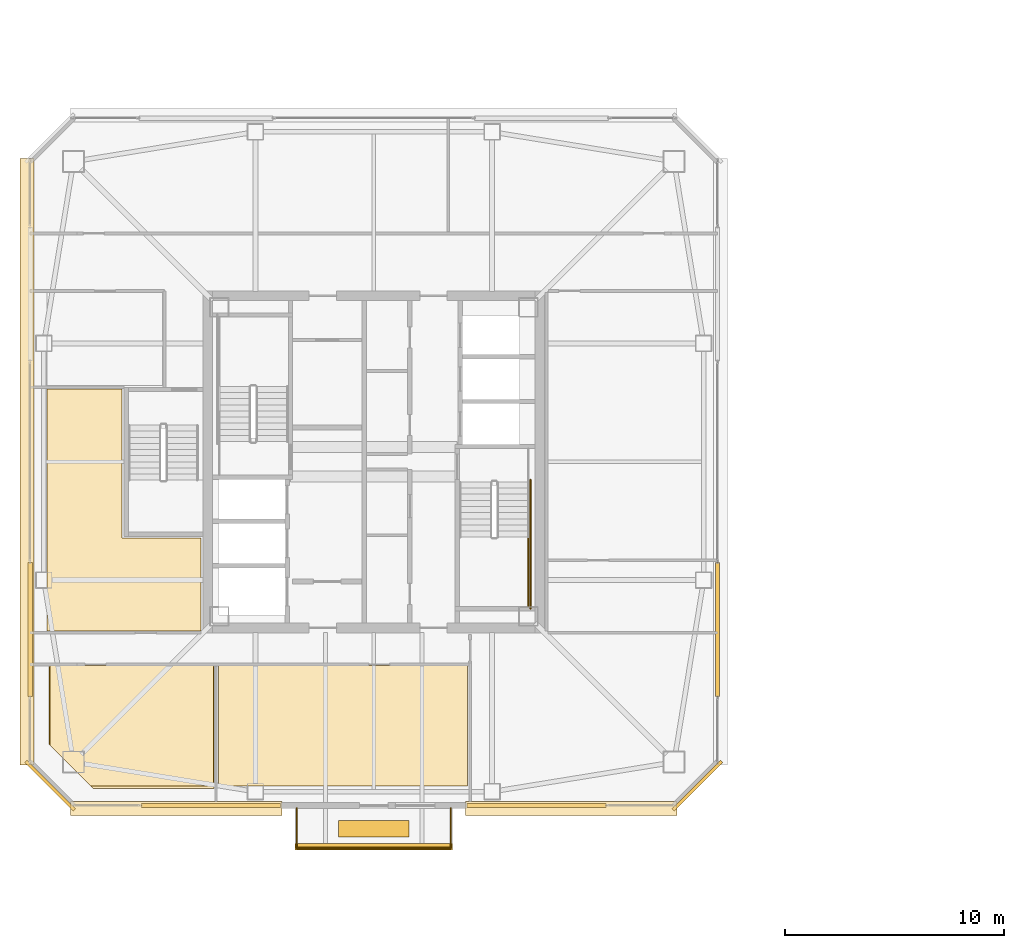
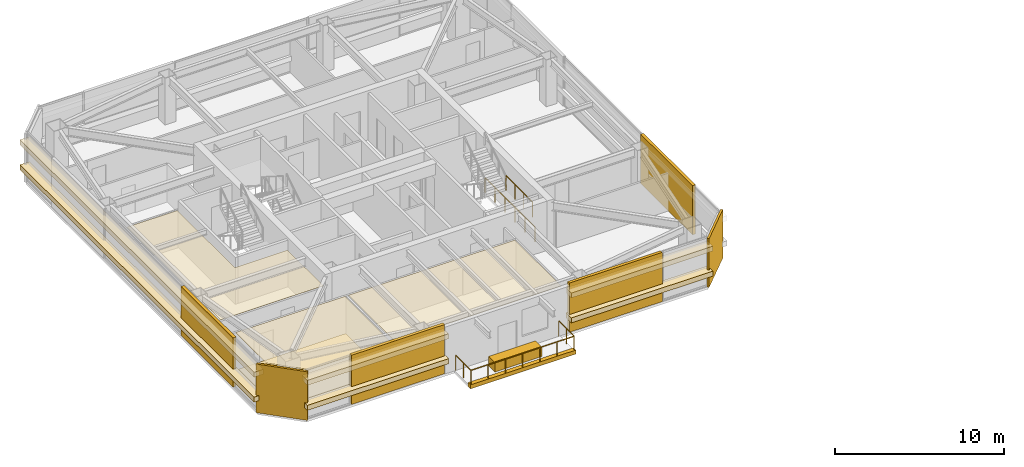
# One storey, part 31 of 36: 18 coverings, 5 railings.
"""IFC4 building model written with IfcOpenShell, lengths in metres."""

from ifc_helpers import new_model, si_unit, direction, frame, origin, origin_2d, place, context, subcontext, project, spatial, polyline, rectangle, outline, extrude, material, layer, layer_set, type_object, element, save


model = new_model("IFC4")

# Units and contexts
model_context = context("Model", 3, precision=1e-05, world=origin(), true_north=direction((0.0, 1.0)))
body_context = subcontext(model_context, "Body", "Model", "MODEL_VIEW")
ifc_project = project(units=[si_unit("LENGTHUNIT", "METRE"), si_unit("AREAUNIT", "SQUARE_METRE"), si_unit("VOLUMEUNIT", "CUBIC_METRE"), si_unit("PLANEANGLEUNIT", "RADIAN"), si_unit("MASSUNIT", "GRAM", prefix="KILO")], contexts=[model_context])

# Site, building, storey
site_placement = place(None, origin())
site = spatial("IfcSite", under=ifc_project, at=site_placement, CompositionType="ELEMENT")
building_placement = place(site_placement, origin())
building = spatial("IfcBuilding", under=site, at=building_placement, Name="Tashvorn Skyway Center", CompositionType="ELEMENT")
storey_placement = place(building_placement, frame((0.0, 0.0, 236.14990234375)))
storey = spatial("IfcBuildingStorey", under=building, at=storey_placement, Name="L64", CompositionType="ELEMENT", Elevation=236.14990234375)

# Coverings
ifc_material_1 = material(Name="Precast concrete C40/50", Category="concrete")
ifc_layer_1 = layer(ifc_material_1, 0.199951171875)
ifc_layer_set_1 = layer_set([ifc_layer_1], Name="Precast concrete C40/50")
covering_type_1 = type_object("IfcCoveringType", Name="COV-BRACE-CLAD", PredefinedType="CLADDING", material=ifc_layer_set_1)
for number, where, z_axis, x_axis, name in (
    (1, (49.4267578125, 16.320068359375, 0.0), (0.0, 0.0, 1.0), (-1.0, 0.0, 0.0), "Tower 1 L64 South Curtain Wall L Mega-Brace Cladding Band 1"),
    (2, (34.5732421875, 16.320068359375, 0.0), (0.0, 0.0, 1.0), (-1.0, 0.0, 0.0), "Tower 1 L64 South Curtain Wall R Mega-Brace Cladding Band 1"),
):
    element("IfcCovering", number, at=place(storey_placement, frame(where, z_axis=z_axis, x_axis=x_axis)), inside=storey, type_object=covering_type_1, Name=name, PredefinedType="CLADDING", context=body_context, shape_type="SweptSolid", body=[
        extrude(rectangle(XDim=6.353271484375, YDim=0.199951171875, at=origin_2d()), origin(), (0.0, 0.0, 1.0), 3.550048828125),
    ])
for number, where, z_axis, x_axis, name in (
    (3, (26.320068359375, 24.344482421875, 0.0), (0.0, 0.0, 1.0), (0.0, 1.0, 0.0), "Tower 1 L64 West Unitised Curtain Wall Mega-Brace Cladding Band 1"),
    (4, (57.679931640625, 24.344482421875, 0.0), (0.0, 0.0, 1.0), (0.0, -1.0, 0.0), "Tower 1 L64 East Unitised Curtain Wall Mega-Brace Cladding Band 2"),
):
    element("IfcCovering", number, at=place(storey_placement, frame(where, z_axis=z_axis, x_axis=x_axis)), inside=storey, type_object=covering_type_1, Name=name, PredefinedType="CLADDING", context=body_context, shape_type="SweptSolid", body=[
        extrude(rectangle(XDim=6.12451171875, YDim=0.199951171875, at=origin_2d()), origin(), (0.0, 0.0, 1.0), 3.550048828125),
    ])
ifc_material_2 = material(Name="Mineral-fibre acoustic ceiling tile on suspended grid")
ifc_layer_2 = layer(ifc_material_2, 0.02001953125)
ifc_layer_set_2 = layer_set([ifc_layer_2], Name="Mineral-fibre acoustic ceiling tile on suspended grid")
covering_type_2 = type_object("IfcCoveringType", Name="COV-CEIL-20", PredefinedType="CEILING", material=ifc_layer_set_2)
covering_1_placement = place(storey_placement, frame((0.0, 0.0, 2.703125)))
element("IfcCovering", 5, at=covering_1_placement, inside=storey, type_object=covering_type_2, Name="Tower 1 L64 Wellness Clinic Acoustic Ceiling", PredefinedType="CEILING", context=body_context, shape_type="SweptSolid", body=[
    extrude(outline(polyline([(27.219970703125, 22.7099609375), (34.679931640625, 22.7099609375), (34.679931640625, 17.219970703125), (29.080078125, 17.219970703125), (27.219970703125, 19.080078125), (27.219970703125, 22.7099609375)])), origin(), (0.0, 0.0, 1.0), 0.02001953125),
])
covering_2_placement = place(storey_placement, frame((0.0, 0.0, 2.703125)))
element("IfcCovering", 6, at=covering_2_placement, inside=storey, type_object=covering_type_2, Name="Tower 1 L64 Security Control Room Acoustic Ceiling", PredefinedType="CEILING", context=body_context, shape_type="SweptSolid", body=[
    extrude(outline(polyline([(34.919921875, 22.7099609375), (46.280029296875, 22.7099609375), (46.280029296875, 17.219970703125), (34.919921875, 17.219970703125), (34.919921875, 22.7099609375)])), origin(), (0.0, 0.0, 1.0), 0.02001953125),
])
covering_3_placement = place(storey_placement, frame((0.0, 0.0, 2.703125)))
element("IfcCovering", 7, at=covering_3_placement, inside=storey, type_object=covering_type_2, Name="Tower 1 L64 Public Restroom Acoustic Ceiling", PredefinedType="CEILING", context=body_context, shape_type="SweptSolid", body=[
    extrude(outline(polyline([(34.1201171875, 24.280029296875), (27.10009765625, 24.280029296875), (27.10009765625, 28.52001953125), (27.10009765625, 35.320068359375), (30.52001953125, 35.320068359375), (30.52001953125, 28.52001953125), (34.1201171875, 28.52001953125), (34.1201171875, 24.280029296875)])), origin(), (0.0, 0.0, 1.0), 0.02001953125),
])
ifc_material_3 = material(Name="Polished Mojave desert-aggregate terrazzo and cover plate")
ifc_layer_3 = layer(ifc_material_3, 0.0400390625)
ifc_layer_set_3 = layer_set([ifc_layer_3], Name="Polished Mojave desert-aggregate terrazzo and cover plate")
covering_type_3 = type_object("IfcCoveringType", Name="COV-FLR-40", PredefinedType="FLOORING", material=ifc_layer_set_3)
covering_4_placement = place(storey_placement, origin())
element("IfcCovering", 8, at=covering_4_placement, inside=storey, type_object=covering_type_3, Name="Tower 1 L64 Wellness Clinic Finish Flooring", PredefinedType="FLOORING", context=body_context, shape_type="SweptSolid", body=[
    extrude(outline(polyline([(29.199951171875, 17.10009765625), (27.179931640625, 19.1201171875), (27.179931640625, 22.669921875), (34.719970703125, 22.669921875), (34.719970703125, 17.10009765625), (29.199951171875, 17.10009765625)])), origin(), (0.0, 0.0, 1.0), 0.0400390625),
])
ifc_material_4 = material(Name="Perforated ceramic-coated bronze aluminium solar screen", Category="aluminium")
ifc_layer_4 = layer(ifc_material_4, 0.85009765625)
ifc_layer_set_4 = layer_set([ifc_layer_4], Name="Perforated ceramic-coated bronze aluminium solar screen")
covering_type_4 = type_object("IfcCoveringType", Name="COV-SOLAR-BAND", PredefinedType="CLADDING", material=ifc_layer_set_4)
for number, where, z_axis, x_axis, name in (
    (9, (51.014892578125, 16.179931640625, 0.919921875), (0.0, 0.0, 1.0), (-1.0, 0.0, 0.0), "L64 Perforated Ceramic-Metal Solar Screen Louvre Band South 1"),
    (10, (51.014892578125, 16.179931640625, 2.72021484375), (0.0, 0.0, 1.0), (-1.0, 0.0, 0.0), "L64 Perforated Ceramic-Metal Solar Screen Louvre Band South 2"),
    (11, (32.985107421875, 16.179931640625, 0.919921875), (0.0, 0.0, 1.0), (-1.0, 0.0, 0.0), "L64 Perforated Ceramic-Metal Solar Screen Louvre Band South 1"),
    (12, (32.985107421875, 16.179931640625, 2.72021484375), (0.0, 0.0, 1.0), (-1.0, 0.0, 0.0), "L64 Perforated Ceramic-Metal Solar Screen Louvre Band South 2"),
):
    element("IfcCovering", number, at=place(storey_placement, frame(where, z_axis=z_axis, x_axis=x_axis)), inside=storey, type_object=covering_type_4, Name=name, PredefinedType="CLADDING", context=body_context, shape_type="SweptSolid", body=[
        extrude(rectangle(XDim=9.64990234375, YDim=0.639892578125, at=origin_2d()), origin(), (0.0, 0.0, 1.0), 0.360107421875),
    ])
for number, where, z_axis, x_axis, name in (
    (13, (26.179931640625, 32.0, 0.919921875), (0.0, 0.0, 1.0), (0.0, 1.0, 0.0), "L64 Perforated Ceramic-Metal Solar Screen Louvre Band West 1"),
    (14, (26.179931640625, 32.0, 2.72021484375), (0.0, 0.0, 1.0), (0.0, 1.0, 0.0), "L64 Perforated Ceramic-Metal Solar Screen Louvre Band West 2"),
):
    element("IfcCovering", number, at=place(storey_placement, frame(where, z_axis=z_axis, x_axis=x_axis)), inside=storey, type_object=covering_type_4, Name=name, PredefinedType="CLADDING", context=body_context, shape_type="SweptSolid", body=[
        extrude(rectangle(XDim=27.679931640625, YDim=0.639892578125, at=origin_2d()), origin(), (0.0, 0.0, 1.0), 0.360107421875),
    ])
ifc_layer_5 = layer(ifc_material_1, 0.35009765625)
ifc_layer_set_5 = layer_set([ifc_layer_5], Name="Precast concrete C40/50")
covering_type_5 = type_object("IfcCoveringType", Name="COV-STONE-TRIM", PredefinedType="CLADDING", material=ifc_layer_set_5)
covering_5_placement = place(storey_placement, frame((42.0, 14.43994140625, -0.16015625), z_axis=(0.0, 0.0, 1.0), x_axis=(-1.0, 0.0, 0.0)))
element("IfcCovering", 15, at=covering_5_placement, inside=storey, type_object=covering_type_5, Name="Tower 1 L64 Spiral Terrace Terracotta Fascia", PredefinedType="CLADDING", context=body_context, shape_type="SweptSolid", body=[
    extrude(rectangle(XDim=7.199951171875, YDim=0.280029296875, at=origin_2d()), origin(), (0.0, 0.0, 1.0), 0.280029296875),
])
covering_6_placement = place(storey_placement, frame((42.0, 15.25, 0.0), z_axis=(0.0, 0.0, 1.0), x_axis=(-1.0, 0.0, 0.0)))
element("IfcCovering", 16, at=covering_6_placement, inside=storey, type_object=covering_type_5, Name="Tower 1 L64 Spiral Terrace Planter", PredefinedType="CLADDING", context=body_context, shape_type="SweptSolid", body=[
    extrude(rectangle(XDim=3.199951171875, YDim=0.75, at=origin_2d()), origin(), (0.0, 0.0, 1.0), 0.679931640625),
])
for number, where, z_axis, x_axis, name in (
    (17, (27.22998046875, 17.22998046875, 0.02001953125), (0.0, 0.0, 1.0), (-0.707106781187, 0.707106781187, 0.0), "Tower 1 L64 SW Mojave Limestone Corner Quoin"),
    (18, (56.77001953125, 17.22998046875, 0.02001953125), (0.0, 0.0, 1.0), (0.707106781187, 0.707106781187, 0.0), "Tower 1 L64 SE Mojave Limestone Corner Quoin"),
):
    element("IfcCovering", number, at=place(storey_placement, frame(where, z_axis=z_axis, x_axis=x_axis)), inside=storey, type_object=covering_type_5, Name=name, PredefinedType="CLADDING", context=body_context, shape_type="SweptSolid", body=[
        extrude(rectangle(XDim=3.1298828125, YDim=0.139892578125, at=origin_2d()), origin(), (0.0, 0.0, 1.0), 3.510009765625),
    ])

# Railings
ifc_material_5 = material(Name="Galvanized steel S355", Category="steel")
railing_type_1 = type_object("IfcRailingType", Name="RAIL-GUARD-1120", PredefinedType="GUARDRAIL", material=ifc_material_5)
railing_1_placement = place(storey_placement, frame((38.47998046875, 16.199951171875, 0.0)))
element("IfcRailing", 19, at=railing_1_placement, inside=storey, type_object=railing_type_1, Name="L64 Tower 1 Terrace Guardrail 01", PredefinedType="GUARDRAIL", context=body_context, shape_type="SweptSolid", body=[
    extrude(rectangle(XDim=0.048095703125, YDim=0.048095703125, at=origin_2d()), frame((0.0, 0.0, 1.09619140625), z_axis=(0.0, -1.0, 0.0), x_axis=(1.0, 0.0, 0.0)), (0.0, 0.0, 1.0), 1.820068359375),
    extrude(rectangle(XDim=0.0419921875, YDim=0.0419921875, at=origin_2d()), origin(), (0.0, 0.0, 1.0), 1.072021484375),
    extrude(rectangle(XDim=0.0419921875, YDim=0.0419921875, at=origin_2d()), frame((0.0, -0.91015625, 0.0)), (0.0, 0.0, 1.0), 1.072021484375),
    extrude(rectangle(XDim=0.0419921875, YDim=0.0419921875, at=origin_2d()), frame((0.0, -1.820068359375, 0.0)), (0.0, 0.0, 1.0), 1.072021484375),
])
railing_2_placement = place(storey_placement, frame((38.47998046875, 14.3798828125, 0.0)))
element("IfcRailing", 20, at=railing_2_placement, inside=storey, type_object=railing_type_1, Name="L64 Tower 1 Terrace Guardrail 02", PredefinedType="GUARDRAIL", context=body_context, shape_type="SweptSolid", body=[
    extrude(rectangle(XDim=0.048095703125, YDim=0.048095703125, at=origin_2d()), frame((0.0, 0.0, 1.09619140625), z_axis=(1.0, 0.0, 0.0), x_axis=(0.0, 1.0, 0.0)), (0.0, 0.0, 1.0), 7.0400390625),
    extrude(rectangle(XDim=0.0419921875, YDim=0.0419921875, at=origin_2d()), origin(), (0.0, 0.0, 1.0), 1.072021484375),
    extrude(rectangle(XDim=0.0419921875, YDim=0.0419921875, at=origin_2d()), frame((1.17333984375, 0.0, 0.0)), (0.0, 0.0, 1.0), 1.072021484375),
    extrude(rectangle(XDim=0.0419921875, YDim=0.0419921875, at=origin_2d()), frame((2.3466796875, 0.0, 0.0)), (0.0, 0.0, 1.0), 1.072021484375),
    extrude(rectangle(XDim=0.0419921875, YDim=0.0419921875, at=origin_2d()), frame((3.52001953125, 0.0, 0.0)), (0.0, 0.0, 1.0), 1.072021484375),
    extrude(rectangle(XDim=0.0419921875, YDim=0.0419921875, at=origin_2d()), frame((4.693359375, 0.0, 0.0)), (0.0, 0.0, 1.0), 1.072021484375),
    extrude(rectangle(XDim=0.0419921875, YDim=0.0419921875, at=origin_2d()), frame((5.86669921875, 0.0, 0.0)), (0.0, 0.0, 1.0), 1.072021484375),
    extrude(rectangle(XDim=0.0419921875, YDim=0.0419921875, at=origin_2d()), frame((7.0400390625, 0.0, 0.0)), (0.0, 0.0, 1.0), 1.072021484375),
])
railing_3_placement = place(storey_placement, frame((45.52001953125, 14.3798828125, 0.0)))
element("IfcRailing", 21, at=railing_3_placement, inside=storey, type_object=railing_type_1, Name="L64 Tower 1 Terrace Guardrail 03", PredefinedType="GUARDRAIL", context=body_context, shape_type="SweptSolid", body=[
    extrude(rectangle(XDim=0.048095703125, YDim=0.048095703125, at=origin_2d()), frame((0.0, 0.0, 1.09619140625), z_axis=(0.0, 1.0, 0.0), x_axis=(-1.0, 0.0, 0.0)), (0.0, 0.0, 1.0), 1.820068359375),
    extrude(rectangle(XDim=0.0419921875, YDim=0.0419921875, at=origin_2d()), origin(), (0.0, 0.0, 1.0), 1.072021484375),
    extrude(rectangle(XDim=0.0419921875, YDim=0.0419921875, at=origin_2d()), frame((0.0, 0.91015625, 0.0)), (0.0, 0.0, 1.0), 1.072021484375),
    extrude(rectangle(XDim=0.0419921875, YDim=0.0419921875, at=origin_2d()), frame((0.0, 1.820068359375, 0.0)), (0.0, 0.0, 1.0), 1.072021484375),
])
ifc_material_6 = material(Name="Painted galvanized steel S355", Category="steel")
railing_type_2 = type_object("IfcRailingType", Name="RAIL-STGUARD-1100", PredefinedType="GUARDRAIL", material=ifc_material_6)
railing_4_placement = place(storey_placement, frame((49.050048828125, 28.56005859375, 1.775146484375)))
element("IfcRailing", 22, at=railing_4_placement, inside=storey, type_object=railing_type_2, Name="L64 ST-T1-2 stair guard 3", PredefinedType="GUARDRAIL", context=body_context, shape_type="SweptSolid", body=[
    extrude(rectangle(XDim=0.048095703125, YDim=0.048095703125, at=origin_2d()), frame((0.0, 0.0, 1.076171875), z_axis=(0.0, -1.0, 0.0), x_axis=(1.0, 0.0, 0.0)), (0.0, 0.0, 1.0), 3.16015625),
    extrude(rectangle(XDim=0.0419921875, YDim=0.0419921875, at=origin_2d()), origin(), (0.0, 0.0, 1.0), 1.052001953125),
    extrude(rectangle(XDim=0.0419921875, YDim=0.0419921875, at=origin_2d()), frame((0.0, -1.053466796875, 0.0)), (0.0, 0.0, 1.0), 1.052001953125),
    extrude(rectangle(XDim=0.0419921875, YDim=0.0419921875, at=origin_2d()), frame((0.0, -2.106689453125, 0.0)), (0.0, 0.0, 1.0), 1.052001953125),
    extrude(rectangle(XDim=0.0419921875, YDim=0.0419921875, at=origin_2d()), frame((0.0, -3.16015625, 0.0)), (0.0, 0.0, 1.0), 1.052001953125),
])
railing_5_placement = place(storey_placement, frame((49.14990234375, 31.179931640625, 0.0)))
element("IfcRailing", 23, at=railing_5_placement, inside=storey, type_object=railing_type_2, Name="L64 ST-T1-2 stair guard 7", PredefinedType="GUARDRAIL", context=body_context, shape_type="SweptSolid", body=[
    extrude(rectangle(XDim=0.048095703125, YDim=0.048095703125, at=origin_2d()), frame((0.0, 0.0, 1.076171875), z_axis=(0.0, -1.0, 0.0), x_axis=(1.0, 0.0, 0.0)), (0.0, 0.0, 1.0), 5.8798828125),
    extrude(rectangle(XDim=0.0419921875, YDim=0.0419921875, at=origin_2d()), origin(), (0.0, 0.0, 1.0), 1.052001953125),
    extrude(rectangle(XDim=0.0419921875, YDim=0.0419921875, at=origin_2d()), frame((0.0, -1.176025390625, 0.0)), (0.0, 0.0, 1.0), 1.052001953125),
    extrude(rectangle(XDim=0.0419921875, YDim=0.0419921875, at=origin_2d()), frame((0.0, -2.35205078125, 0.0)), (0.0, 0.0, 1.0), 1.052001953125),
    extrude(rectangle(XDim=0.0419921875, YDim=0.0419921875, at=origin_2d()), frame((0.0, -3.52783203125, 0.0)), (0.0, 0.0, 1.0), 1.052001953125),
    extrude(rectangle(XDim=0.0419921875, YDim=0.0419921875, at=origin_2d()), frame((0.0, -4.703857421875, 0.0)), (0.0, 0.0, 1.0), 1.052001953125),
    extrude(rectangle(XDim=0.0419921875, YDim=0.0419921875, at=origin_2d()), frame((0.0, -5.8798828125, 0.0)), (0.0, 0.0, 1.0), 1.052001953125),
])

save(model, "model.ifc")
